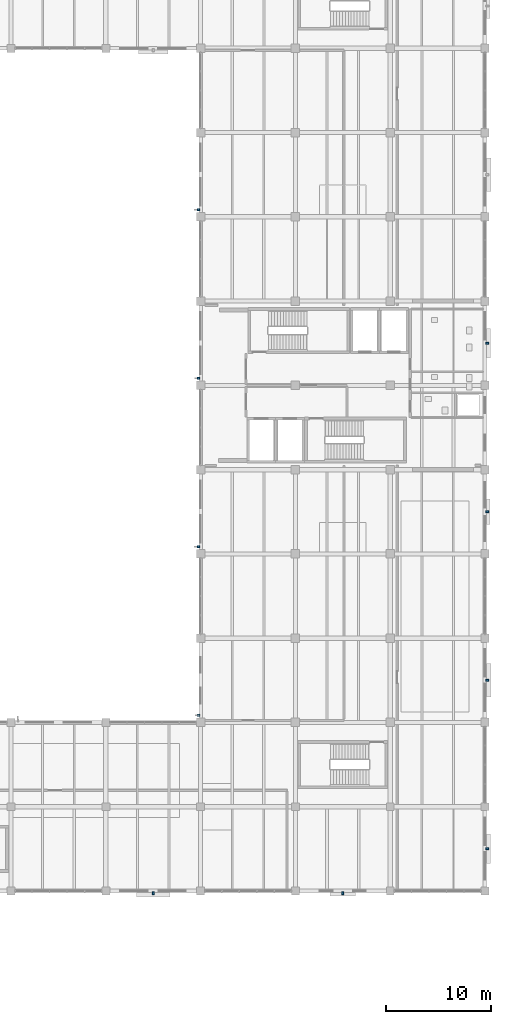
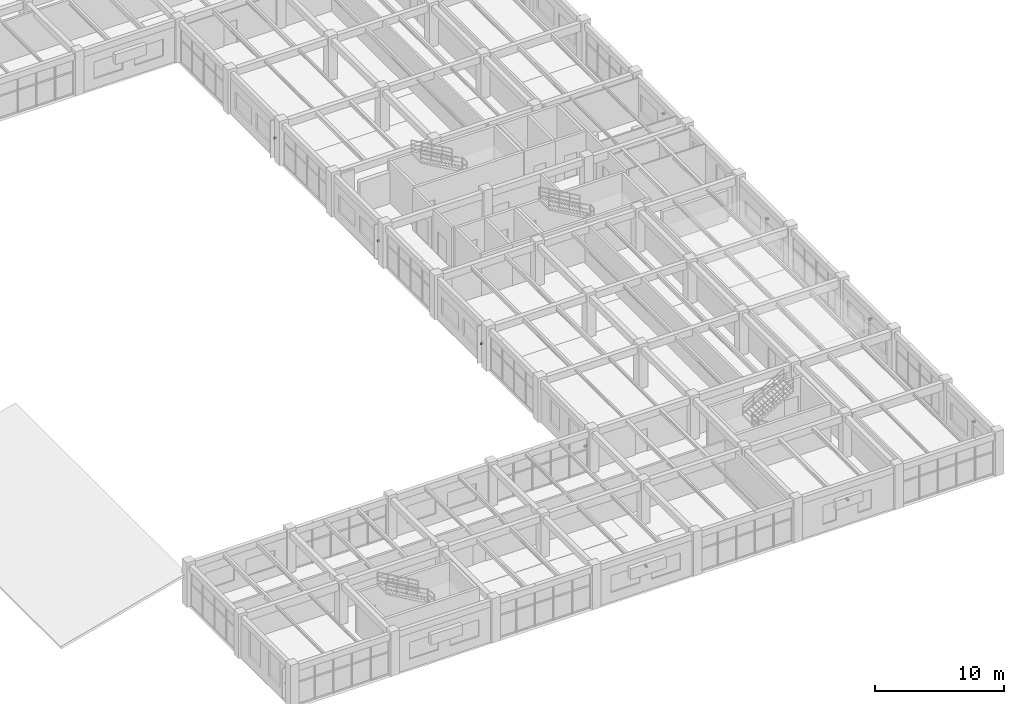
# One storey, part 137 of 148: 10 discrete accessories.
"""IFC4 building model written with IfcOpenShell, lengths in metres."""

from ifc_helpers import new_model, si_unit, derived_unit, direction, frame, origin, origin_2d, place, context, subcontext, project, spatial, rectangle, extrude, material, type_object, element, save


model = new_model("IFC4")

# Units and contexts
model_context = context("Model", 3, precision=1e-05, world=origin(), true_north=direction((0.0, 1.0)))
body_context = subcontext(model_context, "Body", "Model", "MODEL_VIEW")
ifc_project = project(units=[si_unit("LENGTHUNIT", "METRE"), si_unit("AREAUNIT", "SQUARE_METRE"), si_unit("VOLUMEUNIT", "CUBIC_METRE"), si_unit("PLANEANGLEUNIT", "RADIAN"), si_unit("MASSUNIT", "GRAM", prefix="KILO"), derived_unit("THERMALTRANSMITTANCEUNIT", [(si_unit("MASSUNIT", "GRAM", prefix="KILO"), 1), (si_unit("TIMEUNIT", "SECOND"), -3), (si_unit("THERMODYNAMICTEMPERATUREUNIT", "KELVIN"), -1)])], contexts=[model_context])

# Site, building, storey
site_placement = place(None, origin())
site = spatial("IfcSite", under=ifc_project, at=site_placement, CompositionType="ELEMENT")
building_placement = place(site_placement, origin())
building = spatial("IfcBuilding", under=site, at=building_placement, Name="Zhenchuan Archway Interchange", CompositionType="ELEMENT")
storey_placement = place(building_placement, frame((0.0, 0.0, 10.199951171875)))
storey = spatial("IfcBuildingStorey", under=building, at=storey_placement, Name="L02", CompositionType="ELEMENT", Elevation=10.199951171875)

# Discrete accessories
ifc_material = material(Name="Stainless Steel 316", Category="steel")
discrete_accessory_type_1 = type_object("IfcDiscreteAccessoryType", Name="BRK_SHD_1", PredefinedType="BRACKET", material=ifc_material)
for number, where, z_axis, x_axis, name in (
    (1, (143.800048828125, 72.677978515625, 1.8701171875), (0.0, 0.0, 1.0), (0.0, 1.0, 0.0), "Solar fin stainless fixing bracket L02-080"),
    (2, (143.800048828125, 24.677978515625, 1.8701171875), (0.0, 0.0, 1.0), (0.0, 1.0, 0.0), "Solar fin stainless fixing bracket L02-100"),
    (3, (143.800048828125, 40.677978515625, 1.8701171875), (0.0, 0.0, 1.0), (0.0, 1.0, 0.0), "Solar fin stainless fixing bracket L02-101"),
    (4, (143.800048828125, 56.677978515625, 1.8701171875), (0.0, 0.0, 1.0), (0.0, 1.0, 0.0), "Solar fin stainless fixing bracket L02-102"),
):
    element("IfcDiscreteAccessory", number, at=place(storey_placement, frame(where, z_axis=z_axis, x_axis=x_axis)), inside=storey, type_object=discrete_accessory_type_1, Name=name, PredefinedType="BRACKET", context=body_context, shape_type="SweptSolid", body=[
        extrude(rectangle(XDim=0.159912109375, YDim=0.239990234375, at=origin_2d()), origin(), (0.0, 0.0, 1.0), 0.159912109375),
    ])
discrete_accessory_type_2 = type_object("IfcDiscreteAccessoryType", Name="BRK_SHD_2", PredefinedType="BRACKET", material=ifc_material)
for number, where, z_axis, x_axis, name in (
    (5, (171.199951171875, 60.0, 2.26025390625), (0.0, 0.0, 1.0), (0.0, -1.0, 0.0), "Storm-louvre stainless fixing bracket L02-090"),
    (6, (171.199951171875, 44.0, 2.01025390625), (0.0, 0.0, 1.0), (0.0, -1.0, 0.0), "Storm-louvre stainless fixing bracket L02-091"),
    (7, (171.199951171875, 28.0, 2.26025390625), (0.0, 0.0, 1.0), (0.0, -1.0, 0.0), "Storm-louvre stainless fixing bracket L02-092"),
    (8, (171.199951171875, 12.0, 2.26025390625), (0.0, 0.0, 1.0), (0.0, -1.0, 0.0), "Storm-louvre stainless fixing bracket L02-093"),
    (9, (157.5, 7.800048828125, 2.26025390625), (0.0, 0.0, 1.0), (-1.0, 0.0, 0.0), "Storm-louvre stainless fixing bracket L02-094"),
    (10, (139.5, 7.800048828125, 2.26025390625), (0.0, 0.0, 1.0), (-1.0, 0.0, 0.0), "Storm-louvre stainless fixing bracket L02-095"),
):
    element("IfcDiscreteAccessory", number, at=place(storey_placement, frame(where, z_axis=z_axis, x_axis=x_axis)), inside=storey, type_object=discrete_accessory_type_2, Name=name, PredefinedType="BRACKET", context=body_context, shape_type="SweptSolid", body=[
        extrude(rectangle(XDim=0.179931640625, YDim=0.280029296875, at=origin_2d()), origin(), (0.0, 0.0, 1.0), 0.179931640625),
    ])

save(model, "model.ifc")
